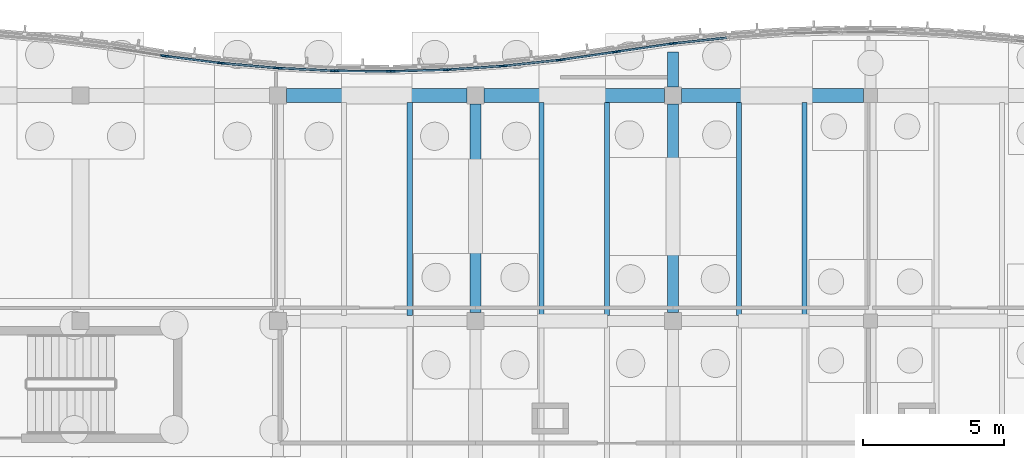
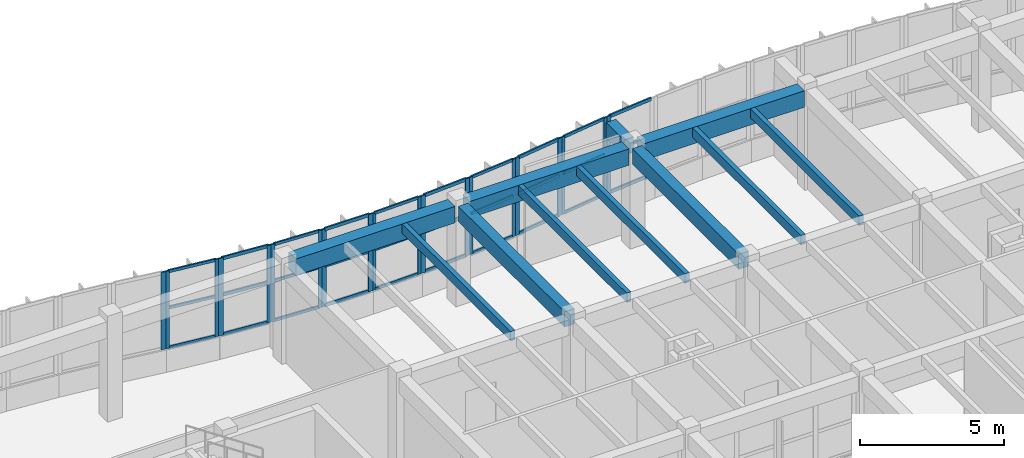
# One storey, part 46 of 99: 50 members, 11 beams, 11 elements without a shape of their own.
"""IFC4 building model written with IfcOpenShell, lengths in metres."""

from ifc_helpers import new_model, si_unit, direction, frame, origin, origin_2d, place, context, subcontext, project, spatial, rectangle, extrude, material, layer, layer_set, material_profile, profile_set, type_object, element, aggregate, save


model = new_model("IFC4")

# Units and contexts
model_context = context("Model", 3, precision=1e-05, world=origin(), true_north=direction((0.0, 1.0)))
body_context = subcontext(model_context, "Body", "Model", "MODEL_VIEW")
ifc_project = project(units=[si_unit("LENGTHUNIT", "METRE"), si_unit("AREAUNIT", "SQUARE_METRE"), si_unit("VOLUMEUNIT", "CUBIC_METRE"), si_unit("PLANEANGLEUNIT", "RADIAN"), si_unit("MASSUNIT", "GRAM", prefix="KILO")], contexts=[model_context])

# Site, building, storey
site_placement = place(None, origin())
site = spatial("IfcSite", under=ifc_project, at=site_placement, CompositionType="ELEMENT")
building_placement = place(site_placement, origin())
building = spatial("IfcBuilding", under=site, at=building_placement, Name="Tonlespit Floodbar School", CompositionType="ELEMENT")
storey_placement = place(building_placement, origin())
storey = spatial("IfcBuildingStorey", under=building, at=storey_placement, Name="L00", CompositionType="ELEMENT", Elevation=0.0)

# Beams
ifc_material_1 = material(Name="Concrete C40/50", Category="concrete")
ifc_material_profile_1 = material_profile(ifc_material_1, rectangle(XDim=0.39990234375, YDim=0.64990234375, at=origin_2d()), Name="RC 400x650")
ifc_profile_set_1 = profile_set([ifc_material_profile_1], Name="Concrete C40/50")
beam_type_1 = type_object("IfcBeamType", Name="Beam_RC_400x650", PredefinedType="BEAM", material=ifc_profile_set_1)
for number, where, z_axis, x_axis, name in (
    (1, (141.0, 112.300048828125, 3.9150390625), (0.0, 1.0, 0.0), (-1.0, 0.0, 0.0), "L00 girder 0281"),
    (2, (148.0, 112.300048828125, 3.9150390625), (0.0, 1.0, 0.0), (-1.0, 0.0, 0.0), "L00 girder 0289"),
):
    element("IfcBeam", number, at=place(storey_placement, frame(where, z_axis=z_axis, x_axis=x_axis)), inside=storey, type_object=beam_type_1, Name=name, PredefinedType="BEAM", context=body_context, shape_type="SweptSolid", body=[
        extrude(rectangle(XDim=0.39990234375, YDim=0.64990234375, at=origin_2d()), origin(), (0.0, 0.0, 1.0), 7.39990234375),
    ])
beam_1_placement = place(storey_placement, frame((148.0, 120.300048828125, 3.9150390625), z_axis=(0.0, 1.0, 0.0), x_axis=(-1.0, 0.0, 0.0)))
element("IfcBeam", 3, at=beam_1_placement, inside=storey, type_object=beam_type_1, Name="L00 north street wave cantilever bracket", PredefinedType="BEAM", context=body_context, shape_type="SweptSolid", body=[
    extrude(rectangle(XDim=0.39990234375, YDim=0.64990234375, at=origin_2d()), origin(), (0.0, 0.0, 1.0), 1.241455078125),
])

# Curtain wall, members
ifc_material_2 = material(Name="Anodised Aluminium", Category="aluminium")
ifc_layer_1 = layer(ifc_material_2, 0.159912109375)
ifc_layer_set_1 = layer_set([ifc_layer_1], Name="Anodised Aluminium")
curtain_wall_type_1 = type_object("IfcCurtainWallType", Name="CurtainWall_1950x3300", PredefinedType="NOTDEFINED", material=ifc_layer_set_1)
curtain_wall_1_placement = place(storey_placement, origin())
curtain_wall_1 = element("IfcCurtainWall", 4, at=curtain_wall_1_placement, inside=storey, type_object=curtain_wall_type_1, Name="L00 unitised curtain wall 0346", PredefinedType="NOTDEFINED")
ifc_material_profile_2 = material_profile(ifc_material_2, rectangle(XDim=0.06494140625, YDim=0.14990234375, at=origin_2d()), Name="ALU M65x150")
ifc_profile_set_2 = profile_set([ifc_material_profile_2], Name="Anodised Aluminium")
member_type_1 = type_object("IfcMemberType", Name="CW_Mullion_65x150", PredefinedType="MULLION", material=ifc_profile_set_2)
member_1_placement = place(storey_placement, frame((130.072021484375, 121.38525390625, 0.949951171875), z_axis=(0.0, 0.0, 1.0), x_axis=(0.125013803299, 0.992155002499, 0.0)))
member_1 = element("IfcMember", 5, at=member_1_placement, type_object=member_type_1, Name="CW-01 mullion 1", PredefinedType="MULLION", context=body_context, shape_type="SweptSolid", body=[
    extrude(rectangle(XDim=0.06494140625, YDim=0.14990234375, at=origin_2d()), origin(), (0.0, 0.0, 1.0), 3.2900390625),
])
member_2_placement = place(storey_placement, frame((131.927978515625, 121.1513671875, 0.949951171875), z_axis=(0.0, 0.0, 1.0), x_axis=(0.125013803299, 0.992155002499, 0.0)))
member_2 = element("IfcMember", 6, at=member_2_placement, type_object=member_type_1, Name="CW-01 mullion 2", PredefinedType="MULLION", context=body_context, shape_type="SweptSolid", body=[
    extrude(rectangle(XDim=0.06494140625, YDim=0.14990234375, at=origin_2d()), origin(), (0.0, 0.0, 1.0), 3.2900390625),
])

ifc_layer_2 = layer(ifc_material_2, 0.159912109375)
ifc_layer_set_2 = layer_set([ifc_layer_2], Name="Anodised Aluminium")
curtain_wall_type_2 = type_object("IfcCurtainWallType", Name="CurtainWall_1900x3300", PredefinedType="NOTDEFINED", material=ifc_layer_set_2)
curtain_wall_2_placement = place(storey_placement, origin())
curtain_wall_2 = element("IfcCurtainWall", 7, at=curtain_wall_2_placement, inside=storey, type_object=curtain_wall_type_2, Name="L00 unitised curtain wall 0348", PredefinedType="NOTDEFINED")
member_3_placement = place(storey_placement, frame((134.072509765625, 120.965087890625, 0.949951171875), z_axis=(0.0, 0.0, 1.0), x_axis=(0.048121270216, 0.998841500616, 0.0)))
member_3 = element("IfcMember", 8, at=member_3_placement, type_object=member_type_1, Name="CW-02 mullion 1", PredefinedType="MULLION", context=body_context, shape_type="SweptSolid", body=[
    extrude(rectangle(XDim=0.06494140625, YDim=0.14990234375, at=origin_2d()), origin(), (0.0, 0.0, 1.0), 3.2900390625),
])
member_4_placement = place(storey_placement, frame((135.927490234375, 120.875732421875, 0.949951171875), z_axis=(0.0, 0.0, 1.0), x_axis=(0.048121270216, 0.998841500616, 0.0)))
member_4 = element("IfcMember", 9, at=member_4_placement, type_object=member_type_1, Name="CW-02 mullion 2", PredefinedType="MULLION", context=body_context, shape_type="SweptSolid", body=[
    extrude(rectangle(XDim=0.06494140625, YDim=0.14990234375, at=origin_2d()), origin(), (0.0, 0.0, 1.0), 3.2900390625),
])

curtain_wall_3_placement = place(storey_placement, origin())
curtain_wall_3 = element("IfcCurtainWall", 10, at=curtain_wall_3_placement, inside=storey, type_object=curtain_wall_type_2, Name="L00 unitised curtain wall 0350", PredefinedType="NOTDEFINED")
member_5_placement = place(storey_placement, frame((138.072509765625, 120.855224609375, 0.949951171875), z_axis=(0.0, 0.0, 1.0), x_axis=(-0.028790144226, 0.999585477883, 0.0)))
member_5 = element("IfcMember", 11, at=member_5_placement, type_object=member_type_1, Name="CW-02 mullion 1", PredefinedType="MULLION", context=body_context, shape_type="SweptSolid", body=[
    extrude(rectangle(XDim=0.06494140625, YDim=0.14990234375, at=origin_2d()), origin(), (0.0, 0.0, 1.0), 3.2900390625),
])
member_6_placement = place(storey_placement, frame((139.927490234375, 120.908447265625, 0.949951171875), z_axis=(0.0, 0.0, 1.0), x_axis=(-0.028790144226, 0.999585477883, 0.0)))
member_6 = element("IfcMember", 12, at=member_6_placement, type_object=member_type_1, Name="CW-02 mullion 2", PredefinedType="MULLION", context=body_context, shape_type="SweptSolid", body=[
    extrude(rectangle(XDim=0.06494140625, YDim=0.14990234375, at=origin_2d()), origin(), (0.0, 0.0, 1.0), 3.2900390625),
])

curtain_wall_4_placement = place(storey_placement, origin())
curtain_wall_4 = element("IfcCurtainWall", 13, at=curtain_wall_4_placement, inside=storey, type_object=curtain_wall_type_1, Name="L00 unitised curtain wall 0352", PredefinedType="NOTDEFINED")
member_7_placement = place(storey_placement, frame((142.072021484375, 121.05322265625, 0.949951171875), z_axis=(0.0, 0.0, 1.0), x_axis=(-0.105787143968, 0.994388797288, 0.0)))
member_7 = element("IfcMember", 14, at=member_7_placement, type_object=member_type_1, Name="CW-01 mullion 1", PredefinedType="MULLION", context=body_context, shape_type="SweptSolid", body=[
    extrude(rectangle(XDim=0.06494140625, YDim=0.14990234375, at=origin_2d()), origin(), (0.0, 0.0, 1.0), 3.2900390625),
])
member_8_placement = place(storey_placement, frame((143.927978515625, 121.250732421875, 0.949951171875), z_axis=(0.0, 0.0, 1.0), x_axis=(-0.105787143968, 0.994388797288, 0.0)))
member_8 = element("IfcMember", 15, at=member_8_placement, type_object=member_type_1, Name="CW-01 mullion 2", PredefinedType="MULLION", context=body_context, shape_type="SweptSolid", body=[
    extrude(rectangle(XDim=0.06494140625, YDim=0.14990234375, at=origin_2d()), origin(), (0.0, 0.0, 1.0), 3.2900390625),
])

curtain_wall_5_placement = place(storey_placement, origin())
curtain_wall_5 = element("IfcCurtainWall", 16, at=curtain_wall_5_placement, inside=storey, type_object=curtain_wall_type_1, Name="L00 unitised curtain wall 0354", PredefinedType="NOTDEFINED")
member_9_placement = place(storey_placement, frame((146.07177734375, 121.560546875, 0.949951171875), z_axis=(0.0, 0.0, 1.0), x_axis=(-0.144248041079, 0.989541561858, 0.0)))
member_9 = element("IfcMember", 17, at=member_9_placement, type_object=member_type_1, Name="CW-01 mullion 1", PredefinedType="MULLION", context=body_context, shape_type="SweptSolid", body=[
    extrude(rectangle(XDim=0.06494140625, YDim=0.14990234375, at=origin_2d()), origin(), (0.0, 0.0, 1.0), 3.2900390625),
])
member_10_placement = place(storey_placement, frame((147.92822265625, 121.8310546875, 0.949951171875), z_axis=(0.0, 0.0, 1.0), x_axis=(-0.144248041079, 0.989541561858, 0.0)))
member_10 = element("IfcMember", 18, at=member_10_placement, type_object=member_type_1, Name="CW-01 mullion 2", PredefinedType="MULLION", context=body_context, shape_type="SweptSolid", body=[
    extrude(rectangle(XDim=0.06494140625, YDim=0.14990234375, at=origin_2d()), origin(), (0.0, 0.0, 1.0), 3.2900390625),
])

# Curtain wall, member
curtain_wall_6_placement = place(storey_placement, origin())
curtain_wall_6 = element("IfcCurtainWall", 19, at=curtain_wall_6_placement, inside=storey, type_object=curtain_wall_type_1, Name="L00 unitised curtain wall 0345", PredefinedType="NOTDEFINED")
ifc_material_profile_3 = material_profile(ifc_material_2, rectangle(XDim=0.06494140625, YDim=0.179931640625, at=origin_2d()), Name="ALU M65x180")
ifc_profile_set_3 = profile_set([ifc_material_profile_3], Name="Anodised Aluminium")
member_type_2 = type_object("IfcMemberType", Name="CW_Mullion_65x180", PredefinedType="MULLION", material=ifc_profile_set_3)
member_11_placement = place(storey_placement, frame((129.928466796875, 121.405517578125, 0.949951171875), z_axis=(0.0, 0.0, 1.0), x_axis=(0.153796288585, 0.988102576465, 0.0)))
member_11 = element("IfcMember", 20, at=member_11_placement, type_object=member_type_2, Name="CW-01 mullion 2", PredefinedType="MULLION", context=body_context, shape_type="SweptSolid", body=[
    extrude(rectangle(XDim=0.06494140625, YDim=0.179931640625, at=origin_2d()), origin(), (0.0, 0.0, 1.0), 3.2900390625),
])
aggregate(curtain_wall_6, [member_11])

# Curtain wall, members
curtain_wall_7_placement = place(storey_placement, origin())
curtain_wall_7 = element("IfcCurtainWall", 21, at=curtain_wall_7_placement, inside=storey, type_object=curtain_wall_type_1, Name="L00 unitised curtain wall 0347", PredefinedType="NOTDEFINED")
member_12_placement = place(storey_placement, frame((132.072265625, 121.135986328125, 0.949951171875), z_axis=(0.0, 0.0, 1.0), x_axis=(0.086531117454, 0.996249148412, 0.0)))
member_12 = element("IfcMember", 22, at=member_12_placement, type_object=member_type_2, Name="CW-01 mullion 1", PredefinedType="MULLION", context=body_context, shape_type="SweptSolid", body=[
    extrude(rectangle(XDim=0.06494140625, YDim=0.179931640625, at=origin_2d()), origin(), (0.0, 0.0, 1.0), 3.2900390625),
])
member_13_placement = place(storey_placement, frame((133.927734375, 120.974853515625, 0.949951171875), z_axis=(0.0, 0.0, 1.0), x_axis=(0.086531117454, 0.996249148412, 0.0)))
member_13 = element("IfcMember", 23, at=member_13_placement, type_object=member_type_2, Name="CW-01 mullion 2", PredefinedType="MULLION", context=body_context, shape_type="SweptSolid", body=[
    extrude(rectangle(XDim=0.06494140625, YDim=0.179931640625, at=origin_2d()), origin(), (0.0, 0.0, 1.0), 3.2900390625),
])

curtain_wall_8_placement = place(storey_placement, origin())
curtain_wall_8 = element("IfcCurtainWall", 24, at=curtain_wall_8_placement, inside=storey, type_object=curtain_wall_type_2, Name="L00 unitised curtain wall 0349", PredefinedType="NOTDEFINED")
member_14_placement = place(storey_placement, frame((136.072509765625, 120.87158203125, 0.949951171875), z_axis=(0.0, 0.0, 1.0), x_axis=(0.009582893292, 0.999954083024, 0.0)))
member_14 = element("IfcMember", 25, at=member_14_placement, type_object=member_type_2, Name="CW-02 mullion 1", PredefinedType="MULLION", context=body_context, shape_type="SweptSolid", body=[
    extrude(rectangle(XDim=0.06494140625, YDim=0.179931640625, at=origin_2d()), origin(), (0.0, 0.0, 1.0), 3.2900390625),
])
member_15_placement = place(storey_placement, frame((137.927490234375, 120.853759765625, 0.949951171875), z_axis=(0.0, 0.0, 1.0), x_axis=(0.009582893292, 0.999954083024, 0.0)))
member_15 = element("IfcMember", 26, at=member_15_placement, type_object=member_type_2, Name="CW-02 mullion 2", PredefinedType="MULLION", context=body_context, shape_type="SweptSolid", body=[
    extrude(rectangle(XDim=0.06494140625, YDim=0.179931640625, at=origin_2d()), origin(), (0.0, 0.0, 1.0), 3.2900390625),
])

curtain_wall_9_placement = place(storey_placement, origin())
curtain_wall_9 = element("IfcCurtainWall", 27, at=curtain_wall_9_placement, inside=storey, type_object=curtain_wall_type_2, Name="L00 unitised curtain wall 0351", PredefinedType="NOTDEFINED")
member_16_placement = place(storey_placement, frame((140.072265625, 120.91552734375, 0.949951171875), z_axis=(0.0, 0.0, 1.0), x_axis=(-0.067339767311, 0.99773010165, 0.0)))
member_16 = element("IfcMember", 28, at=member_16_placement, type_object=member_type_2, Name="CW-02 mullion 1", PredefinedType="MULLION", context=body_context, shape_type="SweptSolid", body=[
    extrude(rectangle(XDim=0.06494140625, YDim=0.179931640625, at=origin_2d()), origin(), (0.0, 0.0, 1.0), 3.2900390625),
])
member_17_placement = place(storey_placement, frame((141.927734375, 121.040771484375, 0.949951171875), z_axis=(0.0, 0.0, 1.0), x_axis=(-0.067339767311, 0.99773010165, 0.0)))
member_17 = element("IfcMember", 29, at=member_17_placement, type_object=member_type_2, Name="CW-02 mullion 2", PredefinedType="MULLION", context=body_context, shape_type="SweptSolid", body=[
    extrude(rectangle(XDim=0.06494140625, YDim=0.179931640625, at=origin_2d()), origin(), (0.0, 0.0, 1.0), 3.2900390625),
])

curtain_wall_10_placement = place(storey_placement, origin())
curtain_wall_10 = element("IfcCurtainWall", 30, at=curtain_wall_10_placement, inside=storey, type_object=curtain_wall_type_1, Name="L00 unitised curtain wall 0353", PredefinedType="NOTDEFINED")
member_18_placement = place(storey_placement, frame((144.07177734375, 121.268798828125, 0.949951171875), z_axis=(0.0, 0.0, 1.0), x_axis=(-0.144248041079, 0.989541561858, 0.0)))
member_18 = element("IfcMember", 31, at=member_18_placement, type_object=member_type_2, Name="CW-01 mullion 1", PredefinedType="MULLION", context=body_context, shape_type="SweptSolid", body=[
    extrude(rectangle(XDim=0.06494140625, YDim=0.179931640625, at=origin_2d()), origin(), (0.0, 0.0, 1.0), 3.2900390625),
])
member_19_placement = place(storey_placement, frame((145.92822265625, 121.53955078125, 0.949951171875), z_axis=(0.0, 0.0, 1.0), x_axis=(-0.144248041079, 0.989541561858, 0.0)))
member_19 = element("IfcMember", 32, at=member_19_placement, type_object=member_type_2, Name="CW-01 mullion 2", PredefinedType="MULLION", context=body_context, shape_type="SweptSolid", body=[
    extrude(rectangle(XDim=0.06494140625, YDim=0.179931640625, at=origin_2d()), origin(), (0.0, 0.0, 1.0), 3.2900390625),
])

# Curtain wall, member
curtain_wall_11_placement = place(storey_placement, origin())
curtain_wall_11 = element("IfcCurtainWall", 33, at=curtain_wall_11_placement, inside=storey, type_object=curtain_wall_type_1, Name="L00 unitised curtain wall 0355", PredefinedType="NOTDEFINED")
member_20_placement = place(storey_placement, frame((148.072021484375, 121.84912109375, 0.949951171875), z_axis=(0.0, 0.0, 1.0), x_axis=(-0.105787143968, 0.994388797288, 0.0)))
member_20 = element("IfcMember", 34, at=member_20_placement, type_object=member_type_2, Name="CW-01 mullion 1", PredefinedType="MULLION", context=body_context, shape_type="SweptSolid", body=[
    extrude(rectangle(XDim=0.06494140625, YDim=0.179931640625, at=origin_2d()), origin(), (0.0, 0.0, 1.0), 3.2900390625),
])

# Member
ifc_material_profile_4 = material_profile(ifc_material_2, rectangle(XDim=0.06494140625, YDim=0.1201171875, at=origin_2d()), Name="ALU T65x120")
ifc_profile_set_4 = profile_set([ifc_material_profile_4], Name="Anodised Aluminium")
member_type_3 = type_object("IfcMemberType", Name="CW_Transom_65x120", PredefinedType="USERDEFINED", material=ifc_profile_set_4)
member_21_placement = place(storey_placement, frame((130.104248046875, 121.381103515625, 0.982421875), z_axis=(0.992165142165, -0.124933304901, 0.0), x_axis=(0.124933304901, 0.992165142165, 0.0)))
member_21 = element("IfcMember", 35, at=member_21_placement, type_object=member_type_3, Name="CW-01 transom 1.1", ObjectType="TRANSOM", PredefinedType="USERDEFINED", context=body_context, shape_type="SweptSolid", body=[
    extrude(rectangle(XDim=0.06494140625, YDim=0.1201171875, at=origin_2d()), origin(), (0.0, 0.0, 1.0), 1.8056640625),
])

member_22_placement = place(storey_placement, frame((130.104248046875, 121.381103515625, 2.660888671875), z_axis=(0.992165142165, -0.124933304901, 0.0), x_axis=(0.124933304901, 0.992165142165, 0.0)))
member_22 = element("IfcMember", 36, at=member_22_placement, type_object=member_type_3, Name="CW-01 transom 1.2", ObjectType="TRANSOM", PredefinedType="USERDEFINED", context=body_context, shape_type="SweptSolid", body=[
    extrude(rectangle(XDim=0.06494140625, YDim=0.1201171875, at=origin_2d()), origin(), (0.0, 0.0, 1.0), 1.8056640625),
])

member_23_placement = place(storey_placement, frame((130.104248046875, 121.381103515625, 4.20751953125), z_axis=(0.992165142165, -0.124933304901, 0.0), x_axis=(0.124933304901, 0.992165142165, 0.0)))
member_23 = element("IfcMember", 37, at=member_23_placement, type_object=member_type_3, Name="CW-01 transom 1.3", ObjectType="TRANSOM", PredefinedType="USERDEFINED", context=body_context, shape_type="SweptSolid", body=[
    extrude(rectangle(XDim=0.06494140625, YDim=0.1201171875, at=origin_2d()), origin(), (0.0, 0.0, 1.0), 1.8056640625),
])

aggregate(curtain_wall_1, [member_1, member_2, member_21, member_22, member_23])

member_24_placement = place(storey_placement, frame((134.10498046875, 120.96337890625, 0.982421875), z_axis=(0.998843034795, -0.048089415069, 0.0), x_axis=(0.048089415069, 0.998843034795, 0.0)))
member_24 = element("IfcMember", 38, at=member_24_placement, type_object=member_type_3, Name="CW-02 transom 1.1", ObjectType="TRANSOM", PredefinedType="USERDEFINED", context=body_context, shape_type="SweptSolid", body=[
    extrude(rectangle(XDim=0.06494140625, YDim=0.1201171875, at=origin_2d()), origin(), (0.0, 0.0, 1.0), 1.7919921875),
])

member_25_placement = place(storey_placement, frame((134.10498046875, 120.96337890625, 2.660888671875), z_axis=(0.998843034795, -0.048089415069, 0.0), x_axis=(0.048089415069, 0.998843034795, 0.0)))
member_25 = element("IfcMember", 39, at=member_25_placement, type_object=member_type_3, Name="CW-02 transom 1.2", ObjectType="TRANSOM", PredefinedType="USERDEFINED", context=body_context, shape_type="SweptSolid", body=[
    extrude(rectangle(XDim=0.06494140625, YDim=0.1201171875, at=origin_2d()), origin(), (0.0, 0.0, 1.0), 1.7919921875),
])

member_26_placement = place(storey_placement, frame((134.10498046875, 120.96337890625, 4.20751953125), z_axis=(0.998843034795, -0.048089415069, 0.0), x_axis=(0.048089415069, 0.998843034795, 0.0)))
member_26 = element("IfcMember", 40, at=member_26_placement, type_object=member_type_3, Name="CW-02 transom 1.3", ObjectType="TRANSOM", PredefinedType="USERDEFINED", context=body_context, shape_type="SweptSolid", body=[
    extrude(rectangle(XDim=0.06494140625, YDim=0.1201171875, at=origin_2d()), origin(), (0.0, 0.0, 1.0), 1.7919921875),
])

aggregate(curtain_wall_2, [member_3, member_4, member_24, member_25, member_26])

member_27_placement = place(storey_placement, frame((138.10498046875, 120.85595703125, 0.982421875), z_axis=(0.999582242166, 0.028902268868, 0.0), x_axis=(-0.028902268868, 0.999582242166, 0.0)))
member_27 = element("IfcMember", 41, at=member_27_placement, type_object=member_type_3, Name="CW-02 transom 1.1", ObjectType="TRANSOM", PredefinedType="USERDEFINED", context=body_context, shape_type="SweptSolid", body=[
    extrude(rectangle(XDim=0.06494140625, YDim=0.1201171875, at=origin_2d()), origin(), (0.0, 0.0, 1.0), 1.790771484375),
])

member_28_placement = place(storey_placement, frame((138.10498046875, 120.85595703125, 2.660888671875), z_axis=(0.999582242166, 0.028902268868, 0.0), x_axis=(-0.028902268868, 0.999582242166, 0.0)))
member_28 = element("IfcMember", 42, at=member_28_placement, type_object=member_type_3, Name="CW-02 transom 1.2", ObjectType="TRANSOM", PredefinedType="USERDEFINED", context=body_context, shape_type="SweptSolid", body=[
    extrude(rectangle(XDim=0.06494140625, YDim=0.1201171875, at=origin_2d()), origin(), (0.0, 0.0, 1.0), 1.790771484375),
])

member_29_placement = place(storey_placement, frame((138.10498046875, 120.85595703125, 4.20751953125), z_axis=(0.999582242166, 0.028902268868, 0.0), x_axis=(-0.028902268868, 0.999582242166, 0.0)))
member_29 = element("IfcMember", 43, at=member_29_placement, type_object=member_type_3, Name="CW-02 transom 1.3", ObjectType="TRANSOM", PredefinedType="USERDEFINED", context=body_context, shape_type="SweptSolid", body=[
    extrude(rectangle(XDim=0.06494140625, YDim=0.1201171875, at=origin_2d()), origin(), (0.0, 0.0, 1.0), 1.790771484375),
])

aggregate(curtain_wall_3, [member_5, member_6, member_27, member_28, member_29])

member_30_placement = place(storey_placement, frame((142.1044921875, 121.056884765625, 0.982421875), z_axis=(0.994394979136, 0.105729019047, 0.0), x_axis=(-0.105729019047, 0.994394979136, 0.0)))
member_30 = element("IfcMember", 44, at=member_30_placement, type_object=member_type_3, Name="CW-01 transom 1.1", ObjectType="TRANSOM", PredefinedType="USERDEFINED", context=body_context, shape_type="SweptSolid", body=[
    extrude(rectangle(XDim=0.06494140625, YDim=0.1201171875, at=origin_2d()), origin(), (0.0, 0.0, 1.0), 1.801025390625),
])

member_31_placement = place(storey_placement, frame((142.1044921875, 121.056884765625, 2.660888671875), z_axis=(0.994394979136, 0.105729019047, 0.0), x_axis=(-0.105729019047, 0.994394979136, 0.0)))
member_31 = element("IfcMember", 45, at=member_31_placement, type_object=member_type_3, Name="CW-01 transom 1.2", ObjectType="TRANSOM", PredefinedType="USERDEFINED", context=body_context, shape_type="SweptSolid", body=[
    extrude(rectangle(XDim=0.06494140625, YDim=0.1201171875, at=origin_2d()), origin(), (0.0, 0.0, 1.0), 1.801025390625),
])

member_32_placement = place(storey_placement, frame((142.1044921875, 121.056884765625, 4.20751953125), z_axis=(0.994394979136, 0.105729019047, 0.0), x_axis=(-0.105729019047, 0.994394979136, 0.0)))
member_32 = element("IfcMember", 46, at=member_32_placement, type_object=member_type_3, Name="CW-01 transom 1.3", ObjectType="TRANSOM", PredefinedType="USERDEFINED", context=body_context, shape_type="SweptSolid", body=[
    extrude(rectangle(XDim=0.06494140625, YDim=0.1201171875, at=origin_2d()), origin(), (0.0, 0.0, 1.0), 1.801025390625),
])

aggregate(curtain_wall_4, [member_7, member_8, member_30, member_31, member_32])

member_33_placement = place(storey_placement, frame((146.10400390625, 121.565185546875, 0.982421875), z_axis=(0.989541000818, 0.144251889765, 0.0), x_axis=(-0.144251889765, 0.989541000818, 0.0)))
member_33 = element("IfcMember", 47, at=member_33_placement, type_object=member_type_3, Name="CW-01 transom 1.1", ObjectType="TRANSOM", PredefinedType="USERDEFINED", context=body_context, shape_type="SweptSolid", body=[
    extrude(rectangle(XDim=0.06494140625, YDim=0.1201171875, at=origin_2d()), origin(), (0.0, 0.0, 1.0), 1.81103515625),
])

member_34_placement = place(storey_placement, frame((146.10400390625, 121.565185546875, 2.660888671875), z_axis=(0.989541000818, 0.144251889765, 0.0), x_axis=(-0.144251889765, 0.989541000818, 0.0)))
member_34 = element("IfcMember", 48, at=member_34_placement, type_object=member_type_3, Name="CW-01 transom 1.2", ObjectType="TRANSOM", PredefinedType="USERDEFINED", context=body_context, shape_type="SweptSolid", body=[
    extrude(rectangle(XDim=0.06494140625, YDim=0.1201171875, at=origin_2d()), origin(), (0.0, 0.0, 1.0), 1.81103515625),
])

member_35_placement = place(storey_placement, frame((146.10400390625, 121.565185546875, 4.20751953125), z_axis=(0.989541000818, 0.144251889765, 0.0), x_axis=(-0.144251889765, 0.989541000818, 0.0)))
member_35 = element("IfcMember", 49, at=member_35_placement, type_object=member_type_3, Name="CW-01 transom 1.3", ObjectType="TRANSOM", PredefinedType="USERDEFINED", context=body_context, shape_type="SweptSolid", body=[
    extrude(rectangle(XDim=0.06494140625, YDim=0.1201171875, at=origin_2d()), origin(), (0.0, 0.0, 1.0), 1.81103515625),
])

aggregate(curtain_wall_5, [member_9, member_10, member_33, member_34, member_35])

ifc_material_profile_5 = material_profile(ifc_material_2, rectangle(XDim=0.06494140625, YDim=0.139892578125, at=origin_2d()), Name="ALU T65x140")
ifc_profile_set_5 = profile_set([ifc_material_profile_5], Name="Anodised Aluminium")
member_type_4 = type_object("IfcMemberType", Name="CW_Transom_65x140", PredefinedType="USERDEFINED", material=ifc_profile_set_5)
member_36_placement = place(storey_placement, frame((132.1044921875, 121.133056640625, 0.982421875), z_axis=(0.996251281774, -0.086506552139, 0.0), x_axis=(0.086506552139, 0.996251281774, 0.0)))
member_36 = element("IfcMember", 50, at=member_36_placement, type_object=member_type_4, Name="CW-01 transom 1.1", ObjectType="TRANSOM", PredefinedType="USERDEFINED", context=body_context, shape_type="SweptSolid", body=[
    extrude(rectangle(XDim=0.06494140625, YDim=0.139892578125, at=origin_2d()), origin(), (0.0, 0.0, 1.0), 1.7978515625),
])

member_37_placement = place(storey_placement, frame((132.1044921875, 121.133056640625, 2.660888671875), z_axis=(0.996251281774, -0.086506552139, 0.0), x_axis=(0.086506552139, 0.996251281774, 0.0)))
member_37 = element("IfcMember", 51, at=member_37_placement, type_object=member_type_4, Name="CW-01 transom 1.2", ObjectType="TRANSOM", PredefinedType="USERDEFINED", context=body_context, shape_type="SweptSolid", body=[
    extrude(rectangle(XDim=0.06494140625, YDim=0.139892578125, at=origin_2d()), origin(), (0.0, 0.0, 1.0), 1.7978515625),
])

member_38_placement = place(storey_placement, frame((132.1044921875, 121.133056640625, 4.20751953125), z_axis=(0.996251281774, -0.086506552139, 0.0), x_axis=(0.086506552139, 0.996251281774, 0.0)))
member_38 = element("IfcMember", 52, at=member_38_placement, type_object=member_type_4, Name="CW-01 transom 1.3", ObjectType="TRANSOM", PredefinedType="USERDEFINED", context=body_context, shape_type="SweptSolid", body=[
    extrude(rectangle(XDim=0.06494140625, YDim=0.139892578125, at=origin_2d()), origin(), (0.0, 0.0, 1.0), 1.7978515625),
])

aggregate(curtain_wall_7, [member_12, member_13, member_36, member_37, member_38])

member_39_placement = place(storey_placement, frame((136.10498046875, 120.87109375, 0.982421875), z_axis=(0.999954428693, -0.00954675532, 0.0), x_axis=(0.00954675532, 0.999954428693, 0.0)))
member_39 = element("IfcMember", 53, at=member_39_placement, type_object=member_type_4, Name="CW-02 transom 1.1", ObjectType="TRANSOM", PredefinedType="USERDEFINED", context=body_context, shape_type="SweptSolid", body=[
    extrude(rectangle(XDim=0.06494140625, YDim=0.139892578125, at=origin_2d()), origin(), (0.0, 0.0, 1.0), 1.7900390625),
])

member_40_placement = place(storey_placement, frame((136.10498046875, 120.87109375, 2.660888671875), z_axis=(0.999954428693, -0.00954675532, 0.0), x_axis=(0.00954675532, 0.999954428693, 0.0)))
member_40 = element("IfcMember", 54, at=member_40_placement, type_object=member_type_4, Name="CW-02 transom 1.2", ObjectType="TRANSOM", PredefinedType="USERDEFINED", context=body_context, shape_type="SweptSolid", body=[
    extrude(rectangle(XDim=0.06494140625, YDim=0.139892578125, at=origin_2d()), origin(), (0.0, 0.0, 1.0), 1.7900390625),
])

member_41_placement = place(storey_placement, frame((136.10498046875, 120.87109375, 4.20751953125), z_axis=(0.999954428693, -0.00954675532, 0.0), x_axis=(0.00954675532, 0.999954428693, 0.0)))
member_41 = element("IfcMember", 55, at=member_41_placement, type_object=member_type_4, Name="CW-02 transom 1.3", ObjectType="TRANSOM", PredefinedType="USERDEFINED", context=body_context, shape_type="SweptSolid", body=[
    extrude(rectangle(XDim=0.06494140625, YDim=0.139892578125, at=origin_2d()), origin(), (0.0, 0.0, 1.0), 1.7900390625),
])

aggregate(curtain_wall_8, [member_14, member_15, member_39, member_40, member_41])

member_42_placement = place(storey_placement, frame((140.104736328125, 120.917724609375, 0.982421875), z_axis=(0.997730041674, 0.067340655935, 0.0), x_axis=(-0.067340655935, 0.997730041674, 0.0)))
member_42 = element("IfcMember", 56, at=member_42_placement, type_object=member_type_4, Name="CW-02 transom 1.1", ObjectType="TRANSOM", PredefinedType="USERDEFINED", context=body_context, shape_type="SweptSolid", body=[
    extrude(rectangle(XDim=0.06494140625, YDim=0.139892578125, at=origin_2d()), origin(), (0.0, 0.0, 1.0), 1.794677734375),
])

member_43_placement = place(storey_placement, frame((140.104736328125, 120.917724609375, 2.660888671875), z_axis=(0.997730041674, 0.067340655935, 0.0), x_axis=(-0.067340655935, 0.997730041674, 0.0)))
member_43 = element("IfcMember", 57, at=member_43_placement, type_object=member_type_4, Name="CW-02 transom 1.2", ObjectType="TRANSOM", PredefinedType="USERDEFINED", context=body_context, shape_type="SweptSolid", body=[
    extrude(rectangle(XDim=0.06494140625, YDim=0.139892578125, at=origin_2d()), origin(), (0.0, 0.0, 1.0), 1.794677734375),
])

member_44_placement = place(storey_placement, frame((140.104736328125, 120.917724609375, 4.20751953125), z_axis=(0.997730041674, 0.067340655935, 0.0), x_axis=(-0.067340655935, 0.997730041674, 0.0)))
member_44 = element("IfcMember", 58, at=member_44_placement, type_object=member_type_4, Name="CW-02 transom 1.3", ObjectType="TRANSOM", PredefinedType="USERDEFINED", context=body_context, shape_type="SweptSolid", body=[
    extrude(rectangle(XDim=0.06494140625, YDim=0.139892578125, at=origin_2d()), origin(), (0.0, 0.0, 1.0), 1.794677734375),
])

aggregate(curtain_wall_9, [member_16, member_17, member_42, member_43, member_44])

member_45_placement = place(storey_placement, frame((144.10400390625, 121.273681640625, 0.982421875), z_axis=(0.989541000818, 0.144251889765, 0.0), x_axis=(-0.144251889765, 0.989541000818, 0.0)))
member_45 = element("IfcMember", 59, at=member_45_placement, type_object=member_type_4, Name="CW-01 transom 1.1", ObjectType="TRANSOM", PredefinedType="USERDEFINED", context=body_context, shape_type="SweptSolid", body=[
    extrude(rectangle(XDim=0.06494140625, YDim=0.139892578125, at=origin_2d()), origin(), (0.0, 0.0, 1.0), 1.81103515625),
])

member_46_placement = place(storey_placement, frame((144.10400390625, 121.273681640625, 2.660888671875), z_axis=(0.989541000818, 0.144251889765, 0.0), x_axis=(-0.144251889765, 0.989541000818, 0.0)))
member_46 = element("IfcMember", 60, at=member_46_placement, type_object=member_type_4, Name="CW-01 transom 1.2", ObjectType="TRANSOM", PredefinedType="USERDEFINED", context=body_context, shape_type="SweptSolid", body=[
    extrude(rectangle(XDim=0.06494140625, YDim=0.139892578125, at=origin_2d()), origin(), (0.0, 0.0, 1.0), 1.81103515625),
])

member_47_placement = place(storey_placement, frame((144.10400390625, 121.273681640625, 4.20751953125), z_axis=(0.989541000818, 0.144251889765, 0.0), x_axis=(-0.144251889765, 0.989541000818, 0.0)))
member_47 = element("IfcMember", 61, at=member_47_placement, type_object=member_type_4, Name="CW-01 transom 1.3", ObjectType="TRANSOM", PredefinedType="USERDEFINED", context=body_context, shape_type="SweptSolid", body=[
    extrude(rectangle(XDim=0.06494140625, YDim=0.139892578125, at=origin_2d()), origin(), (0.0, 0.0, 1.0), 1.81103515625),
])

aggregate(curtain_wall_10, [member_18, member_19, member_45, member_46, member_47])

member_48_placement = place(storey_placement, frame((148.1044921875, 121.852783203125, 0.982421875), z_axis=(0.994394979136, 0.105729019047, 0.0), x_axis=(-0.105729019047, 0.994394979136, 0.0)))
member_48 = element("IfcMember", 62, at=member_48_placement, type_object=member_type_4, Name="CW-01 transom 1.1", ObjectType="TRANSOM", PredefinedType="USERDEFINED", context=body_context, shape_type="SweptSolid", body=[
    extrude(rectangle(XDim=0.06494140625, YDim=0.139892578125, at=origin_2d()), origin(), (0.0, 0.0, 1.0), 1.801025390625),
])

member_49_placement = place(storey_placement, frame((148.1044921875, 121.852783203125, 2.660888671875), z_axis=(0.994394979136, 0.105729019047, 0.0), x_axis=(-0.105729019047, 0.994394979136, 0.0)))
member_49 = element("IfcMember", 63, at=member_49_placement, type_object=member_type_4, Name="CW-01 transom 1.2", ObjectType="TRANSOM", PredefinedType="USERDEFINED", context=body_context, shape_type="SweptSolid", body=[
    extrude(rectangle(XDim=0.06494140625, YDim=0.139892578125, at=origin_2d()), origin(), (0.0, 0.0, 1.0), 1.801025390625),
])

member_50_placement = place(storey_placement, frame((148.1044921875, 121.852783203125, 4.20751953125), z_axis=(0.994394979136, 0.105729019047, 0.0), x_axis=(-0.105729019047, 0.994394979136, 0.0)))
member_50 = element("IfcMember", 64, at=member_50_placement, type_object=member_type_4, Name="CW-01 transom 1.3", ObjectType="TRANSOM", PredefinedType="USERDEFINED", context=body_context, shape_type="SweptSolid", body=[
    extrude(rectangle(XDim=0.06494140625, YDim=0.139892578125, at=origin_2d()), origin(), (0.0, 0.0, 1.0), 1.801025390625),
])

aggregate(curtain_wall_11, [member_20, member_48, member_49, member_50])

# Beams
ifc_material_3 = material(Name="Glulam GL28h", Category="wood")
ifc_material_profile_6 = material_profile(ifc_material_3, rectangle(XDim=0.179931640625, YDim=0.39990234375, at=origin_2d()), Name="GL 180x400")
ifc_profile_set_6 = profile_set([ifc_material_profile_6], Name="Glulam GL28h")
beam_type_2 = type_object("IfcBeamType", Name="Joist_GL_180x400", PredefinedType="JOIST", material=ifc_profile_set_6)
for number, where, z_axis, x_axis, name in (
    (65, (138.666748046875, 112.199951171875, 4.0400390625), (0.0, 1.0, 0.0), (-1.0, 0.0, 0.0), "L00 secondary joist 0532"),
    (66, (143.333251953125, 112.199951171875, 4.0400390625), (0.0, 1.0, 0.0), (-1.0, 0.0, 0.0), "L00 secondary joist 0533"),
    (67, (145.666748046875, 112.199951171875, 4.0400390625), (0.0, 1.0, 0.0), (-1.0, 0.0, 0.0), "L00 secondary joist 0534"),
    (68, (150.333251953125, 112.199951171875, 4.0400390625), (0.0, 1.0, 0.0), (-1.0, 0.0, 0.0), "L00 secondary joist 0535"),
    (69, (152.666748046875, 112.199951171875, 4.0400390625), (0.0, 1.0, 0.0), (-1.0, 0.0, 0.0), "L00 secondary joist 0536"),
):
    element("IfcBeam", number, at=place(storey_placement, frame(where, z_axis=z_axis, x_axis=x_axis)), inside=storey, type_object=beam_type_2, Name=name, PredefinedType="JOIST", context=body_context, shape_type="SweptSolid", body=[
        extrude(rectangle(XDim=0.179931640625, YDim=0.39990234375, at=origin_2d()), origin(), (0.0, 0.0, 1.0), 7.550048828125),
    ])
ifc_material_profile_7 = material_profile(ifc_material_1, rectangle(XDim=0.5, YDim=0.699951171875, at=origin_2d()), Name="RC 500x700")
ifc_profile_set_7 = profile_set([ifc_material_profile_7], Name="Concrete C40/50")
beam_type_3 = type_object("IfcBeamType", Name="Spandrel_RC_500x700", PredefinedType="SPANDREL", material=ifc_profile_set_7)
for number, where, z_axis, x_axis, name in (
    (70, (134.300048828125, 120.0, 3.889892578125), (1.0, 0.0, 0.0), (0.0, 1.0, 0.0), "L00 girder 0161"),
    (71, (141.300048828125, 120.0, 3.889892578125), (1.0, 0.0, 0.0), (0.0, 1.0, 0.0), "L00 girder 0162"),
):
    element("IfcBeam", number, at=place(storey_placement, frame(where, z_axis=z_axis, x_axis=x_axis)), inside=storey, type_object=beam_type_3, Name=name, PredefinedType="SPANDREL", context=body_context, shape_type="SweptSolid", body=[
        extrude(rectangle(XDim=0.5, YDim=0.699951171875, at=origin_2d()), origin(), (0.0, 0.0, 1.0), 6.39990234375),
    ])
beam_2_placement = place(storey_placement, frame((148.300048828125, 120.0, 3.889892578125), z_axis=(1.0, 0.0, 0.0), x_axis=(0.0, 1.0, 0.0)))
element("IfcBeam", 72, at=beam_2_placement, inside=storey, type_object=beam_type_3, Name="L00 girder 0163", PredefinedType="SPANDREL", context=body_context, shape_type="SweptSolid", body=[
    extrude(rectangle(XDim=0.5, YDim=0.699951171875, at=origin_2d()), origin(), (0.0, 0.0, 1.0), 6.449951171875),
])

save(model, "model.ifc")
